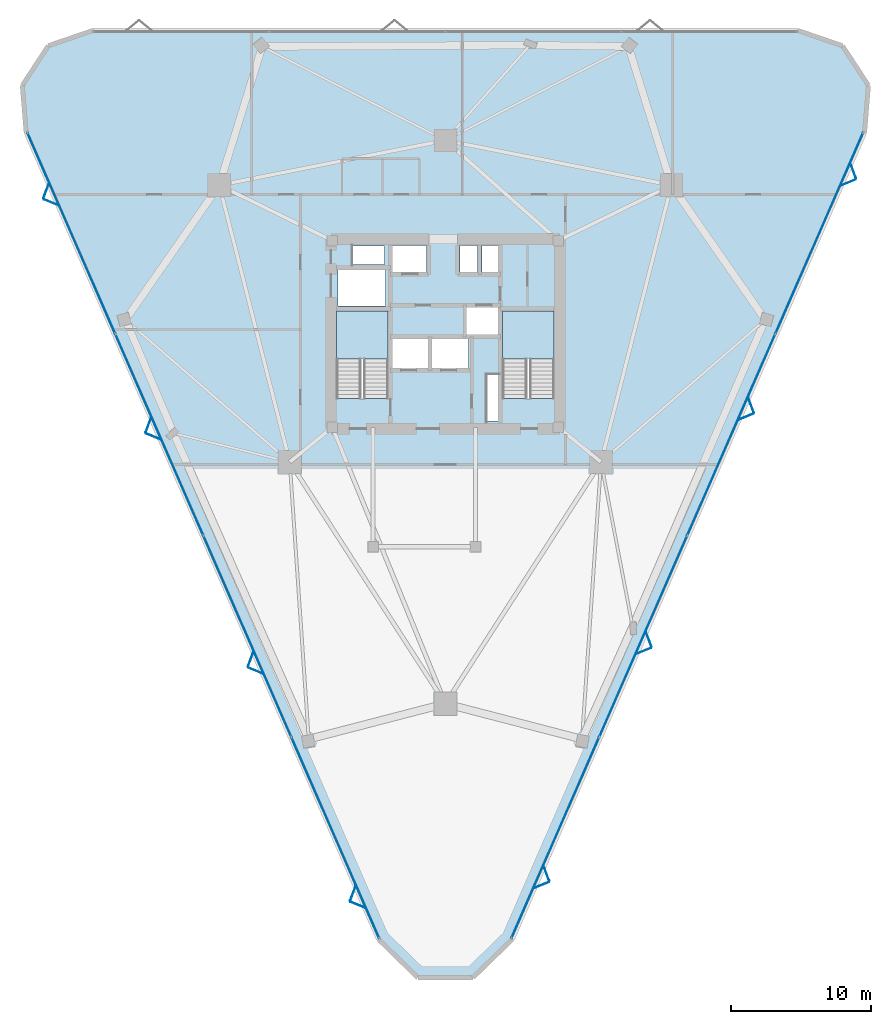
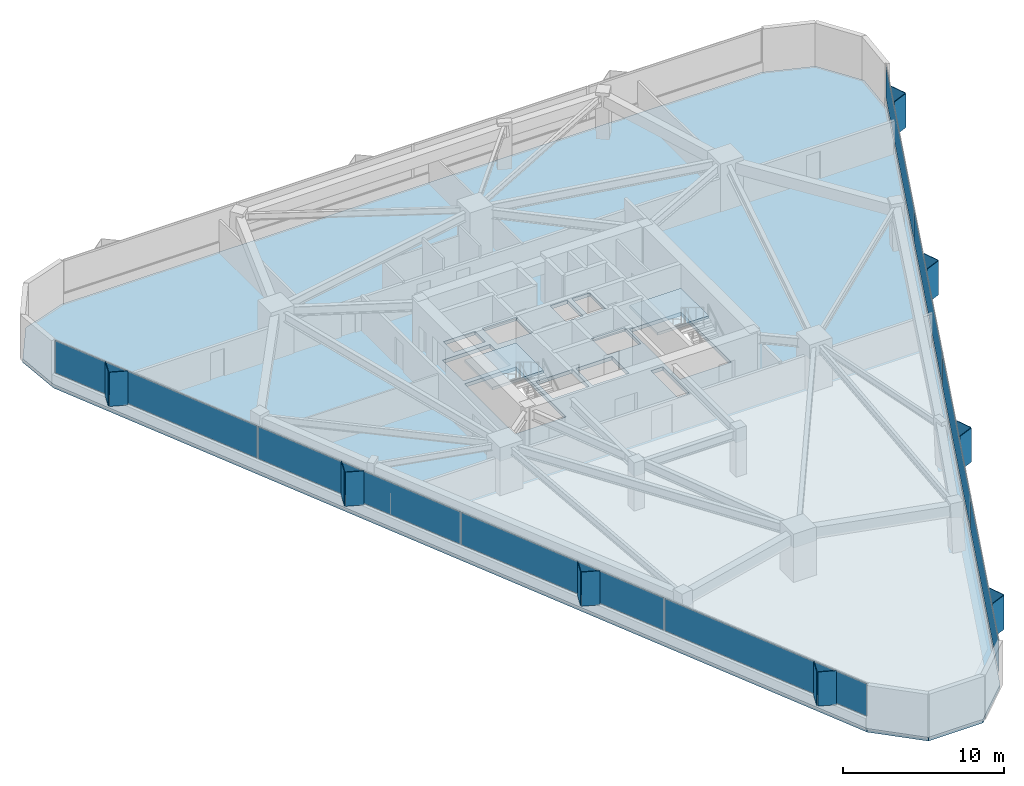
# One storey, part 9 of 15: 24 plates, 3 slabs, 4 elements without a shape of their own.
"""IFC4 building model written with IfcOpenShell, lengths in metres."""

from ifc_helpers import new_model, si_unit, direction, frame, origin, origin_2d, place, context, subcontext, project, spatial, polyline, rectangle, outline, extrude, material, layer, layer_set, type_object, element, aggregate, save


model = new_model("IFC4")

# Units and contexts
model_context = context("Model", 3, precision=1e-05, world=origin(), true_north=direction((0.0, 1.0)))
body_context = subcontext(model_context, "Body", "Model", "MODEL_VIEW")
ifc_project = project(units=[si_unit("LENGTHUNIT", "METRE"), si_unit("AREAUNIT", "SQUARE_METRE"), si_unit("VOLUMEUNIT", "CUBIC_METRE"), si_unit("PLANEANGLEUNIT", "RADIAN"), si_unit("MASSUNIT", "GRAM", prefix="KILO")], contexts=[model_context])

# Site, building, storey
site_placement = place(None, origin())
site = spatial("IfcSite", under=ifc_project, at=site_placement, CompositionType="ELEMENT")
building_placement = place(site_placement, origin())
building = spatial("IfcBuilding", under=site, at=building_placement, Name="Talyreon Biosciences Tower", CompositionType="ELEMENT")
storey_placement = place(building_placement, frame((0.0, 0.0, 111.5)))
storey = spatial("IfcBuildingStorey", under=building, at=storey_placement, Name="L29", CompositionType="ELEMENT", Elevation=111.5)

# Curtain wall, plates
ifc_material_1 = material(Name="Thermally broken aluminium and low-E glazing", Category="aluminium")
ifc_layer_1 = layer(ifc_material_1, 0.18994140625)
ifc_layer_set_1 = layer_set([ifc_layer_1], Name="Thermally broken aluminium and low-E glazing")
curtain_wall_type = type_object("IfcCurtainWallType", Name="CurtainWall_Zone2Genomics", PredefinedType="NOTDEFINED", material=ifc_layer_set_1)
curtain_wall_1_placement = place(storey_placement, origin())
curtain_wall_1 = element("IfcCurtainWall", 1, at=curtain_wall_1_placement, inside=storey, type_object=curtain_wall_type, Name="L29 Unitised Curtain Wall FCW-L29-00", PredefinedType="NOTDEFINED")
ifc_material_2 = material(Name="Triple-silver low-E insulated glazing", Category="glass")
ifc_layer_2 = layer(ifc_material_2, 0.031982421875)
ifc_layer_set_2 = layer_set([ifc_layer_2], Name="Triple-silver low-E insulated glazing")
plate_type_1 = type_object("IfcPlateType", Name="CWGlazingPanel_32", PredefinedType="CURTAIN_PANEL", material=ifc_layer_set_2)
plate_1_placement = place(storey_placement, frame((58.165283203125, 32.1201171875, 0.875), z_axis=(0.0, 0.0, 1.0), x_axis=(-0.400226002637, 0.916416470178, 0.0)))
plate_1 = element("IfcPlate", 2, at=plate_1_placement, type_object=plate_type_1, Name="CW3 panel 1.1", PredefinedType="CURTAIN_PANEL", context=body_context, shape_type="SweptSolid", body=[
    extrude(rectangle(XDim=15.573974609375, YDim=0.031982421875, at=origin_2d()), origin(), (0.0, 0.0, 1.0), 2.43505859375),
])
plate_2_placement = place(storey_placement, frame((51.899658203125, 46.466796875, 0.875), z_axis=(0.0, 0.0, 1.0), x_axis=(-0.400226002637, 0.916416470178, 0.0)))
plate_2 = element("IfcPlate", 3, at=plate_2_placement, type_object=plate_type_1, Name="CW3 panel 2.1", PredefinedType="CURTAIN_PANEL", context=body_context, shape_type="SweptSolid", body=[
    extrude(rectangle(XDim=15.6064453125, YDim=0.031982421875, at=origin_2d()), origin(), (0.0, 0.0, 1.0), 2.43505859375),
])
plate_3_placement = place(storey_placement, frame((45.627685546875, 60.828369140625, 0.875), z_axis=(0.0, 0.0, 1.0), x_axis=(-0.400226002637, 0.916416470178, 0.0)))
plate_3 = element("IfcPlate", 4, at=plate_3_placement, type_object=plate_type_1, Name="CW3 panel 3.1", PredefinedType="CURTAIN_PANEL", context=body_context, shape_type="SweptSolid", body=[
    extrude(rectangle(XDim=15.6064453125, YDim=0.031982421875, at=origin_2d()), origin(), (0.0, 0.0, 1.0), 2.43505859375),
])
plate_4_placement = place(storey_placement, frame((39.362060546875, 75.175048828125, 0.875), z_axis=(0.0, 0.0, 1.0), x_axis=(-0.400226002637, 0.916416470178, 0.0)))
plate_4 = element("IfcPlate", 5, at=plate_4_placement, type_object=plate_type_1, Name="CW3 panel 4.1", PredefinedType="CURTAIN_PANEL", context=body_context, shape_type="SweptSolid", body=[
    extrude(rectangle(XDim=15.573974609375, YDim=0.031982421875, at=origin_2d()), origin(), (0.0, 0.0, 1.0), 2.43505859375),
])
aggregate(curtain_wall_1, [plate_1, plate_2, plate_3, plate_4])

curtain_wall_2_placement = place(storey_placement, origin())
curtain_wall_2 = element("IfcCurtainWall", 6, at=curtain_wall_2_placement, inside=storey, type_object=curtain_wall_type, Name="L29 Unitised Curtain Wall FCW-L29-08", PredefinedType="NOTDEFINED")
plate_5_placement = place(storey_placement, frame((92.637939453125, 75.175048828125, 0.875), z_axis=(0.0, 0.0, 1.0), x_axis=(-0.400226002637, -0.916416470178, 0.0)))
plate_5 = element("IfcPlate", 7, at=plate_5_placement, type_object=plate_type_1, Name="CW3 panel 1.1", PredefinedType="CURTAIN_PANEL", context=body_context, shape_type="SweptSolid", body=[
    extrude(rectangle(XDim=15.573974609375, YDim=0.031982421875, at=origin_2d()), origin(), (0.0, 0.0, 1.0), 2.43505859375),
])
plate_6_placement = place(storey_placement, frame((86.372314453125, 60.828369140625, 0.875), z_axis=(0.0, 0.0, 1.0), x_axis=(-0.400226002637, -0.916416470178, 0.0)))
plate_6 = element("IfcPlate", 8, at=plate_6_placement, type_object=plate_type_1, Name="CW3 panel 2.1", PredefinedType="CURTAIN_PANEL", context=body_context, shape_type="SweptSolid", body=[
    extrude(rectangle(XDim=15.6064453125, YDim=0.031982421875, at=origin_2d()), origin(), (0.0, 0.0, 1.0), 2.43505859375),
])
plate_7_placement = place(storey_placement, frame((80.100341796875, 46.466796875, 0.875), z_axis=(0.0, 0.0, 1.0), x_axis=(-0.400226002637, -0.916416470178, 0.0)))
plate_7 = element("IfcPlate", 9, at=plate_7_placement, type_object=plate_type_1, Name="CW3 panel 3.1", PredefinedType="CURTAIN_PANEL", context=body_context, shape_type="SweptSolid", body=[
    extrude(rectangle(XDim=15.6064453125, YDim=0.031982421875, at=origin_2d()), origin(), (0.0, 0.0, 1.0), 2.43505859375),
])
plate_8_placement = place(storey_placement, frame((73.834716796875, 32.1201171875, 0.875), z_axis=(0.0, 0.0, 1.0), x_axis=(-0.400226002637, -0.916416470178, 0.0)))
plate_8 = element("IfcPlate", 10, at=plate_8_placement, type_object=plate_type_1, Name="CW3 panel 4.1", PredefinedType="CURTAIN_PANEL", context=body_context, shape_type="SweptSolid", body=[
    extrude(rectangle(XDim=15.573974609375, YDim=0.031982421875, at=origin_2d()), origin(), (0.0, 0.0, 1.0), 2.43505859375),
])
aggregate(curtain_wall_2, [plate_5, plate_6, plate_7, plate_8])

# Plates
ifc_material_3 = material(Name="Ivory GFRC sunshade panel", Category="concrete")
ifc_layer_3 = layer(ifc_material_3, 0.044921875)
ifc_layer_set_3 = layer_set([ifc_layer_3], Name="Ivory GFRC sunshade panel")
plate_type_2 = type_object("IfcPlateType", Name="FoldedVSunshade_SunFace_SUNSHADE", PredefinedType="USERDEFINED", material=ifc_layer_set_3)
for number, where, z_axis, x_axis, name in (
    (11, (59.776123046875, 27.332763671875, 0.7900390625), (0.0, 0.0, 1.0), (-0.924492817138, 0.381199463614, 0.0), "L29 Folded V-Sunshade Panel 00.01L"),
    (12, (59.415771484375, 28.157470703125, 0.7900390625), (0.0, 0.0, 1.0), (0.348702913177, 0.937233310516, 0.0), "L29 Folded V-Sunshade Panel 00.01R"),
    (13, (52.491943359375, 44.011474609375, 0.7900390625), (0.0, 0.0, 1.0), (-0.924492817138, 0.381199463614, 0.0), "L29 Folded V-Sunshade Panel 00.02L"),
    (14, (52.131591796875, 44.836181640625, 0.7900390625), (0.0, 0.0, 1.0), (0.348702913177, 0.937233310516, 0.0), "L29 Folded V-Sunshade Panel 00.02R"),
    (15, (45.207763671875, 60.690185546875, 0.7900390625), (0.0, 0.0, 1.0), (-0.924492817138, 0.381199463614, 0.0), "L29 Folded V-Sunshade Panel 00.03L"),
    (16, (44.84765625, 61.514892578125, 0.7900390625), (0.0, 0.0, 1.0), (0.348702913177, 0.937233310516, 0.0), "L29 Folded V-Sunshade Panel 00.03R"),
    (17, (37.923583984375, 77.369140625, 0.7900390625), (0.0, 0.0, 1.0), (-0.924492817138, 0.381199463614, 0.0), "L29 Folded V-Sunshade Panel 00.04L"),
    (18, (37.5634765625, 78.19384765625, 0.7900390625), (0.0, 0.0, 1.0), (0.348702913177, 0.937233310516, 0.0), "L29 Folded V-Sunshade Panel 00.04R"),
    (19, (95.05517578125, 79.610107421875, 0.7900390625), (0.0, 0.0, 1.0), (0.348702913177, -0.937233310516, 0.0), "L29 Folded V-Sunshade Panel 08.01L"),
    (20, (94.69482421875, 78.785400390625, 0.7900390625), (0.0, 0.0, 1.0), (-0.924492817138, -0.381199463614, 0.0), "L29 Folded V-Sunshade Panel 08.01R"),
    (21, (87.77099609375, 62.931396484375, 0.7900390625), (0.0, 0.0, 1.0), (0.348702913177, -0.937233310516, 0.0), "L29 Folded V-Sunshade Panel 08.02L"),
    (22, (87.410888671875, 62.106689453125, 0.7900390625), (0.0, 0.0, 1.0), (-0.924492817138, -0.381199463614, 0.0), "L29 Folded V-Sunshade Panel 08.02R"),
    (23, (80.48681640625, 46.252685546875, 0.7900390625), (0.0, 0.0, 1.0), (0.348702913177, -0.937233310516, 0.0), "L29 Folded V-Sunshade Panel 08.03L"),
    (24, (80.126708984375, 45.427978515625, 0.7900390625), (0.0, 0.0, 1.0), (-0.924492817138, -0.381199463614, 0.0), "L29 Folded V-Sunshade Panel 08.03R"),
    (25, (73.20263671875, 29.573974609375, 0.7900390625), (0.0, 0.0, 1.0), (0.348702913177, -0.937233310516, 0.0), "L29 Folded V-Sunshade Panel 08.04L"),
    (26, (72.842529296875, 28.7490234375, 0.7900390625), (0.0, 0.0, 1.0), (-0.924492817138, -0.381199463614, 0.0), "L29 Folded V-Sunshade Panel 08.04R"),
):
    element("IfcPlate", number, at=place(storey_placement, frame(where, z_axis=z_axis, x_axis=x_axis)), inside=storey, type_object=plate_type_2, Name=name, ObjectType="SUNSHADE", PredefinedType="USERDEFINED", context=body_context, shape_type="SweptSolid", body=[
        extrude(rectangle(XDim=1.14990234375, YDim=0.044921875, at=origin_2d()), origin(), (0.0, 0.0, 1.0), 2.5849609375),
    ])

# Stair, slab
ifc_material_4 = material(Name="Concrete C40/50", Category="concrete")
stair_type = type_object("IfcStairType", Name="DoglegEscapeStair_3650", PredefinedType="HALF_TURN_STAIR", material=ifc_material_4)
stair_1_placement = place(storey_placement, origin())
stair_1 = element("IfcStair", 27, at=stair_1_placement, inside=storey, type_object=stair_type, Name="L29 Core Escape Stair 1", PredefinedType="HALF_TURN_STAIR")
ifc_layer_4 = layer(ifc_material_4, 0.199951171875)
ifc_layer_set_4 = layer_set([ifc_layer_4], Name="Concrete C40/50")
slab_type_1 = type_object("IfcSlabType", Name="StairLandingSlab_200", PredefinedType="LANDING", material=ifc_layer_set_4)
slab_1_placement = place(storey_placement, frame((0.0, 0.0, 1.625)))
slab_1 = element("IfcSlab", 28, at=slab_1_placement, type_object=slab_type_1, Name="ST-1 landing 1", PredefinedType="LANDING", context=body_context, shape_type="SweptSolid", body=[
    extrude(outline(polyline([(61.929931640625, 66.199951171875), (61.929931640625, 69.64990234375), (58.25, 69.64990234375), (58.25, 66.199951171875), (61.929931640625, 66.199951171875)])), origin(), (0.0, 0.0, 1.0), 0.199951171875),
])
aggregate(stair_1, [slab_1])

stair_2_placement = place(storey_placement, origin())
stair_2 = element("IfcStair", 29, at=stair_2_placement, inside=storey, type_object=stair_type, Name="L29 Core Escape Stair 2", PredefinedType="HALF_TURN_STAIR")
slab_2_placement = place(storey_placement, frame((0.0, 0.0, 1.625)))
slab_2 = element("IfcSlab", 30, at=slab_2_placement, type_object=slab_type_1, Name="ST-2 landing 1", PredefinedType="LANDING", context=body_context, shape_type="SweptSolid", body=[
    extrude(outline(polyline([(73.75, 66.199951171875), (73.75, 69.64990234375), (70.070068359375, 69.64990234375), (70.070068359375, 66.199951171875), (73.75, 66.199951171875)])), origin(), (0.0, 0.0, 1.0), 0.199951171875),
])
aggregate(stair_2, [slab_2])

# Slab
ifc_layer_5 = layer(ifc_material_4, 0.27490234375)
ifc_layer_set_5 = layer_set([ifc_layer_5], Name="Concrete C40/50")
slab_type_2 = type_object("IfcSlabType", Name="WetLabFloorSlab_275", PredefinedType="FLOOR", material=ifc_layer_set_5)
slab_3_placement = place(storey_placement, frame((0.0, 0.0, -0.27490234375)))
element("IfcSlab", 31, at=slab_3_placement, inside=storey, type_object=slab_type_2, Name="L29 Structural Floor Slab", PredefinedType="FLOOR", context=body_context, shape_type="SweptSolid", body=[
    extrude(outline(polyline([(61.234619140625, 24.892578125), (36.146240234375, 82.338623046875), (35.8720703125, 85.70166015625), (37.7197265625, 88.525146484375), (40.91162109375, 89.619873046875), (91.08837890625, 89.619873046875), (94.2802734375, 88.525146484375), (96.1279296875, 85.70166015625), (95.853759765625, 82.338623046875), (70.765380859375, 24.892578125), (67.95947265625, 22.156982421875), (64.04052734375, 22.156982421875), (61.234619140625, 24.892578125)]), holes=[polyline([(61.929931640625, 69.64990234375), (61.929931640625, 63.407958984375), (58.25, 63.407958984375), (58.25, 69.64990234375), (61.929931640625, 69.64990234375)]), polyline([(64.800048828125, 67.64990234375), (64.800048828125, 65.550048828125), (62.199951171875, 65.550048828125), (62.199951171875, 67.64990234375), (64.800048828125, 67.64990234375)]), polyline([(67.64990234375, 67.64990234375), (67.64990234375, 65.550048828125), (65.050048828125, 65.550048828125), (65.050048828125, 67.64990234375), (67.64990234375, 67.64990234375)]), polyline([(61.75, 69.97998046875), (58.35009765625, 69.97998046875), (58.35009765625, 72.550048828125), (61.75, 72.550048828125), (61.75, 69.97998046875)]), polyline([(64.64990234375, 72.35009765625), (62.199951171875, 72.35009765625), (62.199951171875, 74.300048828125), (64.64990234375, 74.300048828125), (64.64990234375, 72.35009765625)]), polyline([(61.64990234375, 74.25), (61.64990234375, 72.9599609375), (59.39990234375, 72.9599609375), (59.39990234375, 74.25), (61.64990234375, 74.25)]), polyline([(69.820068359375, 61.800048828125), (68.9599609375, 61.800048828125), (68.9599609375, 65.10009765625), (69.820068359375, 65.10009765625), (69.820068359375, 61.800048828125)]), polyline([(73.75, 63.407958984375), (70.070068359375, 63.407958984375), (70.070068359375, 69.64990234375), (73.75, 69.64990234375), (73.75, 63.407958984375)]), polyline([(69.89990234375, 69.949951171875), (69.89990234375, 67.949951171875), (67.5, 67.949951171875), (67.5, 69.949951171875), (69.89990234375, 69.949951171875)]), polyline([(68.300048828125, 72.35009765625), (67.050048828125, 72.35009765625), (67.050048828125, 74.300048828125), (68.300048828125, 74.300048828125), (68.300048828125, 72.35009765625)]), polyline([(69.919921875, 72.35009765625), (68.6201171875, 72.35009765625), (68.6201171875, 74.300048828125), (69.919921875, 74.300048828125), (69.919921875, 72.35009765625)])]), origin(), (0.0, 0.0, 1.0), 0.27490234375),
])

save(model, "model.ifc")
